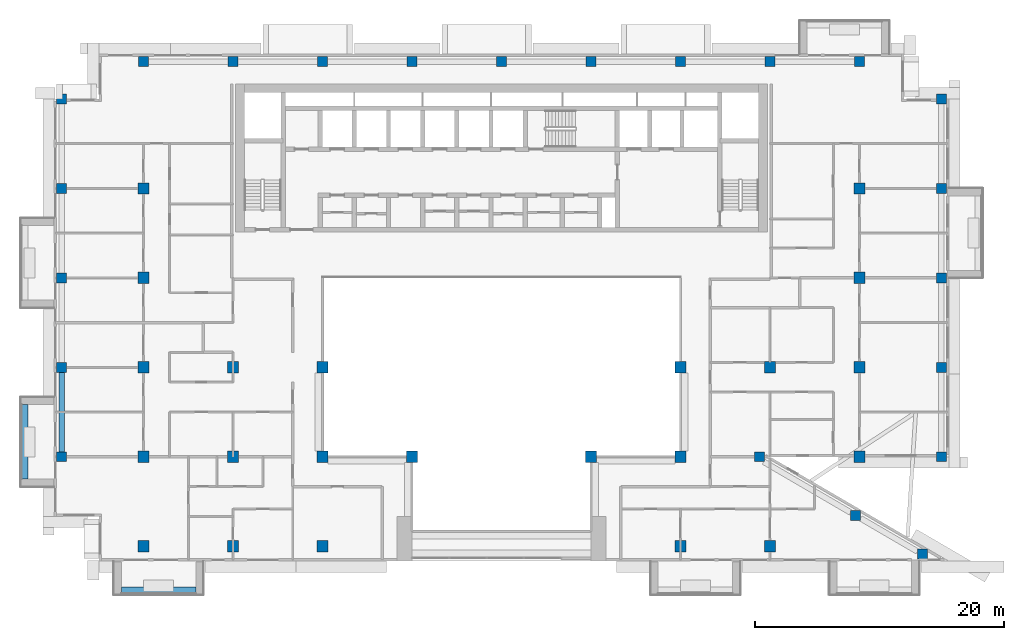
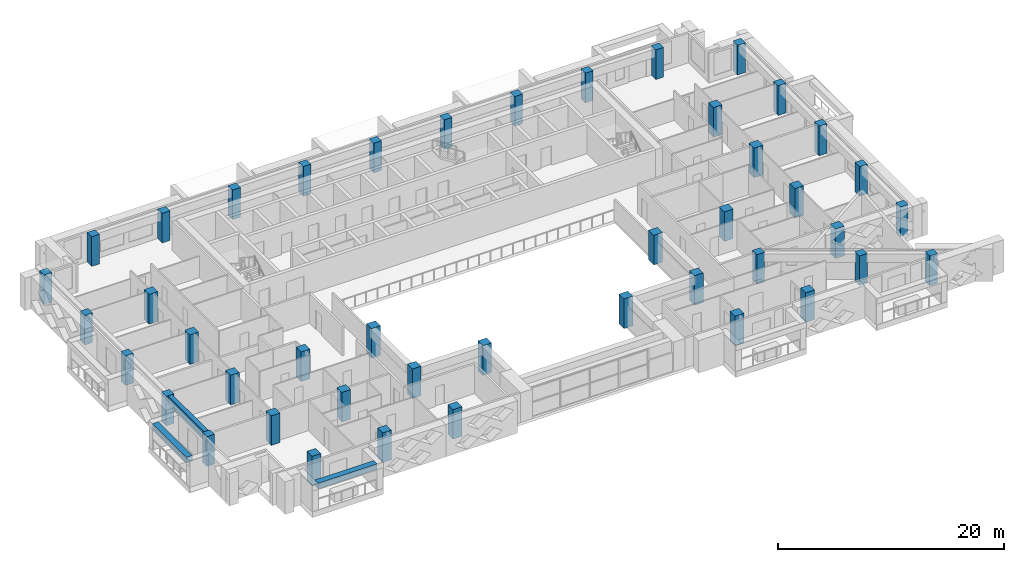
# One storey, part 1 of 20: 44 columns, 3 beams.
"""IFC4 building model written with IfcOpenShell, lengths in metres."""

import ifcopenshell
import ifcopenshell.guid

model = None  # the IFC model being written
_history = None  # IfcOwnerHistory: only IFC2X3 demands one
_inside = {}  # id of a spatial element -> (the spatial element, [elements in it])
_under = {}  # id of a project, library or spatial element -> (it, [spatial elements below it])
_declared = {}  # id of a project -> (the project, [libraries it declares])
_typed = {}  # id of a type object -> (the type object, [elements of that type])
_made_of = {}  # id of a material, layer set ... -> (it, [elements and type objects made of it])


def new_model(schema):
    """Start an empty IFC model of exactly this schema.

    Asked for "IFC4X3", IfcOpenShell would pick the latest addendum, in which some entities
    have other attributes; the version numbers below select the first issue.
    IFC2X3 requires an IfcOwnerHistory on every rooted entity: one is made here for all.
    """
    global model, _history
    if schema == "IFC4X3":
        model = ifcopenshell.file(schema_version=(4, 3, 0, 0))
    else:
        model = ifcopenshell.file(schema=schema)
    _inside.clear()
    _under.clear()
    _declared.clear()
    _typed.clear()
    _made_of.clear()
    _history = None
    if model.schema == "IFC2X3":
        org = make("IfcOrganization", Name="unknown")
        user = make(
            "IfcPersonAndOrganization",
            ThePerson=make("IfcPerson", FamilyName="unknown"),
            TheOrganization=org,
        )
        app = make(
            "IfcApplication",
            ApplicationDeveloper=org,
            Version="unknown",
            ApplicationFullName="unknown",
            ApplicationIdentifier="unknown",
        )
        _history = make(
            "IfcOwnerHistory",
            OwningUser=user,
            OwningApplication=app,
            ChangeAction="ADDED",
            CreationDate=0,
        )
    return model


def make(cls, **values):
    """One entity of the class cls with the attributes given. An attribute that is None is left unset."""
    return model.create_entity(
        cls, **{name: value for name, value in values.items() if value is not None}
    )


def rooted(cls, **values):
    """An entity with a GlobalId (a new one), such as an element, a storey or a relation."""
    return make(cls, GlobalId=ifcopenshell.guid.new(), OwnerHistory=_history, **values)


def si_unit(unit_type, name, prefix=None):
    """IfcSIUnit, for example si_unit("LENGTHUNIT", "METRE", prefix="MILLI")."""
    return make("IfcSIUnit", UnitType=unit_type, Prefix=prefix, Name=name)


def assignment(units):
    """IfcUnitAssignment: the units of a project."""
    return None if units is None else make("IfcUnitAssignment", Units=units)


def point(xyz):
    """IfcCartesianPoint."""
    return None if xyz is None else make("IfcCartesianPoint", Coordinates=xyz)


def direction(xyz):
    """IfcDirection."""
    return None if xyz is None else make("IfcDirection", DirectionRatios=xyz)


def frame(location, z_axis=None, x_axis=None):
    """IfcAxis2Placement3D, a coordinate frame: its origin and axes. An axis left out is left unset."""
    return make(
        "IfcAxis2Placement3D",
        Location=point(location),
        Axis=direction(z_axis),
        RefDirection=direction(x_axis),
    )


def frame_2d(location, x_axis=None):
    """IfcAxis2Placement2D, a coordinate frame in the plane: its origin and x axis."""
    return make(
        "IfcAxis2Placement2D", Location=point(location), RefDirection=direction(x_axis)
    )


def origin():
    """The frame at (0, 0, 0) with its axes left unset."""
    return frame((0.0, 0.0, 0.0))


def origin_2d():
    """The frame at (0, 0) in the plane with its x axis left unset."""
    return frame_2d((0.0, 0.0))


def place(relative_to, where):
    """IfcLocalPlacement: puts the frame where relative to a parent placement (None: the world)."""
    return make(
        "IfcLocalPlacement", PlacementRelTo=relative_to, RelativePlacement=where
    )


def context(
    kind, dimensions, precision=None, world=None, true_north=None, identifier=None
):
    """IfcGeometricRepresentationContext, for example the 3D "Model" context."""
    return make(
        "IfcGeometricRepresentationContext",
        ContextIdentifier=identifier,
        ContextType=kind,
        CoordinateSpaceDimension=dimensions,
        Precision=precision,
        WorldCoordinateSystem=world,
        TrueNorth=true_north,
    )


def subcontext(parent, identifier, kind, view, scale=None):
    """IfcGeometricRepresentationSubContext, for example "Body" below "Model"."""
    return make(
        "IfcGeometricRepresentationSubContext",
        ContextIdentifier=identifier,
        ContextType=kind,
        ParentContext=parent,
        TargetScale=scale,
        TargetView=view,
    )


def project(units=None, contexts=None):
    """IfcProject with its units and contexts."""
    return rooted(
        "IfcProject",
        Name="project",
        RepresentationContexts=contexts,
        UnitsInContext=assignment(units),
    )


def spatial(cls, under=None, at=None, **own):
    """A site, building, storey or space (cls), placed at a placement, below another one or the project."""
    s = rooted(cls, ObjectPlacement=at, **own)
    if under is not None:
        _under.setdefault(under.id(), (under, []))[1].append(s)
    return s


def profile(cls, at=None, kind="AREA", **sizes):
    """A parametric profile (cls). Its sizes go by their IFC names, for example OverallWidth=200.0."""
    return make(cls, ProfileType=kind, Position=at, **sizes)


def rectangle(**sizes):
    """IfcRectangleProfileDef."""
    return profile("IfcRectangleProfileDef", **sizes)


def extrude(swept, where, along, depth):
    """IfcExtrudedAreaSolid: the profile swept, set in the frame where, extruded along a direction by depth."""
    return make(
        "IfcExtrudedAreaSolid",
        SweptArea=swept,
        Position=where,
        ExtrudedDirection=direction(along),
        Depth=depth,
    )


def shape(context_of_items, identifier, shape_type, items):
    """IfcShapeRepresentation: the items that make up one representation, for example the "Body"."""
    return make(
        "IfcShapeRepresentation",
        ContextOfItems=context_of_items,
        RepresentationIdentifier=identifier,
        RepresentationType=shape_type,
        Items=items,
    )


def source(mapping_origin, context_of_items, identifier, shape_type, items):
    """IfcRepresentationMap: a shape defined once, which mapped items show again and again."""
    return make(
        "IfcRepresentationMap",
        MappingOrigin=mapping_origin,
        MappedRepresentation=shape(context_of_items, identifier, shape_type, items),
    )


def transform(
    local_origin,
    x_axis=None,
    y_axis=None,
    z_axis=None,
    scale=None,
    scale2=None,
    scale3=None,
    uniform=True,
):
    """IfcCartesianTransformationOperator3D, or its non-uniform kind. x_axis, y_axis, z_axis: its Axis1, 2, 3."""
    if uniform:
        return make(
            "IfcCartesianTransformationOperator3D",
            Axis1=direction(x_axis),
            Axis2=direction(y_axis),
            LocalOrigin=point(local_origin),
            Scale=scale,
            Axis3=direction(z_axis),
        )
    return make(
        "IfcCartesianTransformationOperator3DnonUniform",
        Axis1=direction(x_axis),
        Axis2=direction(y_axis),
        LocalOrigin=point(local_origin),
        Scale=scale,
        Axis3=direction(z_axis),
        Scale2=scale2,
        Scale3=scale3,
    )


def mapped(mapping_source, mapping_target):
    """IfcMappedItem: shows the shape of a source again, moved by a transform."""
    return make(
        "IfcMappedItem", MappingSource=mapping_source, MappingTarget=mapping_target
    )


def material(Name=None, Category=None):
    """IfcMaterial."""
    return make("IfcMaterial", Name=Name, Category=Category)


def material_profile(
    of_material, cross_section, Name=None, Category=None, Priority=None
):
    """IfcMaterialProfile: a cross section and its material."""
    return make(
        "IfcMaterialProfile",
        Name=Name,
        Material=of_material,
        Profile=cross_section,
        Priority=Priority,
        Category=Category,
    )


def profile_set(profiles, Name=None, composite=None):
    """IfcMaterialProfileSet."""
    return make(
        "IfcMaterialProfileSet",
        Name=Name,
        MaterialProfiles=profiles,
        CompositeProfile=composite,
    )


def made_of(thing, what):
    """Note that an element or type object is made of a material, layer set ...; save() writes the relation."""
    if what is not None:
        _made_of.setdefault(what.id(), (what, []))[1].append(thing)
    return thing


def type_object(cls, material=None, **own):
    """A type object (cls), such as IfcWallType, which elements share."""
    return made_of(rooted(cls, **own), material)


def element(
    cls,
    number,
    at=None,
    inside=None,
    cuts=None,
    type_object=None,
    material=None,
    context=None,
    identifier="Body",
    shape_type=None,
    held_by="IfcProductDefinitionShape",
    body=None,
    shapes=None,
    **own,
):
    """One element of the class cls, such as IfcWall. Its Tag is "e" and its number.

    at: its placement. inside: the storey or other place that contains it. cuts: it is an
    opening in that element (IfcRelVoidsElement). A single representation is given by context,
    identifier, shape_type and body (its items); several are given by shapes. held_by: the class
    of the entity that holds the representations. save() writes the other relations.
    """
    e = rooted(cls, Tag="e%d" % number, ObjectPlacement=at, **own)
    if body is not None:
        shapes = [shape(context, identifier, shape_type, body)]
    if shapes is not None:
        e.Representation = make(held_by, Representations=shapes)
    if inside is not None:
        _inside.setdefault(inside.id(), (inside, []))[1].append(e)
    if cuts is not None:
        rooted(
            "IfcRelVoidsElement", RelatingBuildingElement=cuts, RelatedOpeningElement=e
        )
    if type_object is not None:
        _typed.setdefault(type_object.id(), (type_object, []))[1].append(e)
    return made_of(e, material)


def aggregate(whole, parts):
    """IfcRelAggregates: a whole, such as a stair, and the parts it consists of."""
    return rooted("IfcRelAggregates", RelatingObject=whole, RelatedObjects=parts)


def save(model, path):
    """Write the relations noted so far, then the file.

    IfcRelAggregates (storeys below a building ...), IfcRelContainedInSpatialStructure (elements
    in a storey), IfcRelDefinesByType, IfcRelAssociatesMaterial and IfcRelDeclares: one each for
    every whole, place, type object, material and project.
    """
    for whole, parts in _under.values():
        aggregate(whole, parts)
    for where, things in _inside.values():
        rooted(
            "IfcRelContainedInSpatialStructure",
            RelatedElements=things,
            RelatingStructure=where,
        )
    for kind, things in _typed.values():
        rooted("IfcRelDefinesByType", RelatedObjects=things, RelatingType=kind)
    for what, things in _made_of.values():
        rooted("IfcRelAssociatesMaterial", RelatedObjects=things, RelatingMaterial=what)
    for by, libraries in _declared.values():
        rooted("IfcRelDeclares", RelatingContext=by, RelatedDefinitions=libraries)
    model.write(path)


model = new_model("IFC4")

# Units and contexts
model_context = context("Model", 3, precision=1e-05, world=origin(), true_north=direction((0.0, 1.0)))
body_context = subcontext(model_context, "Body", "Model", "MODEL_VIEW")
ifc_project = project(units=[si_unit("LENGTHUNIT", "METRE"), si_unit("AREAUNIT", "SQUARE_METRE"), si_unit("VOLUMEUNIT", "CUBIC_METRE"), si_unit("PLANEANGLEUNIT", "RADIAN"), si_unit("MASSUNIT", "GRAM", prefix="KILO")], contexts=[model_context])

# Site, building, storey
site_placement = place(None, origin())
site = spatial("IfcSite", under=ifc_project, at=site_placement, CompositionType="ELEMENT")
building_placement = place(site_placement, origin())
building = spatial("IfcBuilding", under=site, at=building_placement, Name="Saffron Iwan Residences", CompositionType="ELEMENT")
storey_placement = place(building_placement, frame((0.0, 0.0, 192.0)))
storey = spatial("IfcBuildingStorey", under=building, at=storey_placement, Name="L51", CompositionType="ELEMENT", Elevation=192.0)

# Columns
ifc_material_1 = material(Name="Concrete C50/60", Category="concrete")
ifc_material_profile_1 = material_profile(ifc_material_1, rectangle(XDim=0.89990234375, YDim=0.89990234375, at=origin_2d()), Name="RC 900x900")
ifc_profile_set_1 = profile_set([ifc_material_profile_1], Name="Concrete C50/60")
column_type_1 = type_object("IfcColumnType", Name="COL RC 900x900 C50/60 3200 HIGH", PredefinedType="COLUMN", material=ifc_profile_set_1)
shared_shape_1 = source(origin(), body_context, "Body", "SweptSolid", [
    extrude(rectangle(XDim=0.89990234375, YDim=0.89990234375, at=origin_2d()), origin(), (0.0, 0.0, 1.0), 3.199951171875),
])
for number, where, z_axis, x_axis, name in (
    (1, (21.60009765625, 40.800048828125, 0.0), (0.0, 0.0, 1.0), (1.0, 0.0, 0.0), "Column C049"),
    (2, (28.800048828125, 40.800048828125, 0.0), (0.0, 0.0, 1.0), (1.0, 0.0, 0.0), "Column C051"),
    (3, (36.0, 40.800048828125, 0.0), (0.0, 0.0, 1.0), (1.0, 0.0, 0.0), "Column C052"),
    (4, (64.800048828125, 40.800048828125, 0.0), (0.0, 0.0, 1.0), (1.0, 0.0, 0.0), "Column C055"),
    (5, (72.0, 40.800048828125, 0.0), (0.0, 0.0, 1.0), (1.0, 0.0, 0.0), "Column C056"),
    (6, (21.60009765625, 48.0, 0.0), (0.0, 0.0, 1.0), (1.0, 0.0, 0.0), "Column C063"),
    (7, (28.800048828125, 48.0, 0.0), (0.0, 0.0, 1.0), (1.0, 0.0, 0.0), "Column C064"),
    (8, (36.0, 48.0, 0.0), (0.0, 0.0, 1.0), (1.0, 0.0, 0.0), "Column C065"),
    (9, (43.199951171875, 48.0, 0.0), (0.0, 0.0, 1.0), (1.0, 0.0, 0.0), "Column C066"),
    (10, (57.60009765625, 48.0, 0.0), (0.0, 0.0, 1.0), (1.0, 0.0, 0.0), "Column C068"),
    (11, (64.800048828125, 48.0, 0.0), (0.0, 0.0, 1.0), (1.0, 0.0, 0.0), "Column C069"),
    (12, (79.199951171875, 48.0, 0.0), (0.0, 0.0, 1.0), (1.0, 0.0, 0.0), "Column C072"),
    (13, (21.60009765625, 55.199951171875, 0.0), (0.0, 0.0, 1.0), (1.0, 0.0, 0.0), "Column C079"),
    (14, (28.800048828125, 55.199951171875, 0.0), (0.0, 0.0, 1.0), (1.0, 0.0, 0.0), "Column C080"),
    (15, (36.0, 55.199951171875, 0.0), (0.0, 0.0, 1.0), (1.0, 0.0, 0.0), "Column C081"),
    (16, (64.800048828125, 55.199951171875, 0.0), (0.0, 0.0, 1.0), (1.0, 0.0, 0.0), "Column C082"),
    (17, (72.0, 55.199951171875, 0.0), (0.0, 0.0, 1.0), (1.0, 0.0, 0.0), "Column C083"),
    (18, (79.199951171875, 55.199951171875, 0.0), (0.0, 0.0, 1.0), (1.0, 0.0, 0.0), "Column C084"),
    (19, (21.60009765625, 62.39990234375, 0.0), (0.0, 0.0, 1.0), (1.0, 0.0, 0.0), "Column C091"),
    (20, (79.199951171875, 62.39990234375, 0.0), (0.0, 0.0, 1.0), (1.0, 0.0, 0.0), "Column C092"),
    (21, (21.60009765625, 69.60009765625, 0.0), (0.0, 0.0, 1.0), (1.0, 0.0, 0.0), "Column C099"),
    (22, (79.199951171875, 69.60009765625, 0.0), (0.0, 0.0, 1.0), (1.0, 0.0, 0.0), "Column C100"),
):
    element("IfcColumn", number, at=place(storey_placement, frame(where, z_axis=z_axis, x_axis=x_axis)), inside=storey, type_object=column_type_1, Name=name, PredefinedType="COLUMN", context=body_context, shape_type="MappedRepresentation", body=[
        mapped(shared_shape_1, transform((0.0, 0.0, 0.0))),
    ])
ifc_material_profile_2 = material_profile(ifc_material_1, rectangle(XDim=0.800048828125, YDim=0.800048828125, at=origin_2d()), Name="RC 800x800")
ifc_profile_set_2 = profile_set([ifc_material_profile_2], Name="Concrete C50/60")
column_type_2 = type_object("IfcColumnType", Name="COL RC 800x800 C50/60 3200 HIGH", PredefinedType="COLUMN", material=ifc_profile_set_2)
shared_shape_2 = source(origin(), body_context, "Body", "SweptSolid", [
    extrude(rectangle(XDim=0.800048828125, YDim=0.800048828125, at=origin_2d()), origin(), (0.0, 0.0, 1.0), 3.199951171875),
])
for number, where, z_axis, x_axis, name in (
    (23, (84.276123046875, 40.17431640625, 0.0), (0.0, 0.0, 1.0), (1.0, 0.0, 0.0), "Column C045"),
    (24, (78.897705078125, 43.28173828125, 0.0), (0.0, 0.0, 1.0), (1.0, 0.0, 0.0), "Column C058"),
    (25, (15.0, 48.0, 0.0), (0.0, 0.0, 1.0), (1.0, 0.0, 0.0), "Column C061"),
    (26, (71.14990234375, 48.0, 0.0), (0.0, 0.0, 1.0), (1.0, 0.0, 0.0), "Column C070"),
    (27, (85.800048828125, 48.0, 0.0), (0.0, 0.0, 1.0), (1.0, 0.0, 0.0), "Column C074"),
    (28, (15.0, 55.199951171875, 0.0), (0.0, 0.0, 1.0), (1.0, 0.0, 0.0), "Column C077"),
    (29, (85.800048828125, 55.199951171875, 0.0), (0.0, 0.0, 1.0), (1.0, 0.0, 0.0), "Column C086"),
    (30, (15.0, 62.39990234375, 0.0), (0.0, 0.0, 1.0), (1.0, 0.0, 0.0), "Column C089"),
    (31, (85.800048828125, 62.39990234375, 0.0), (0.0, 0.0, 1.0), (1.0, 0.0, 0.0), "Column C094"),
    (32, (15.0, 69.60009765625, 0.0), (0.0, 0.0, 1.0), (1.0, 0.0, 0.0), "Column C097"),
    (33, (85.800048828125, 69.60009765625, 0.0), (0.0, 0.0, 1.0), (1.0, 0.0, 0.0), "Column C102"),
    (34, (15.0, 76.800048828125, 0.0), (0.0, 0.0, 1.0), (1.0, 0.0, 0.0), "Column C105"),
    (35, (85.800048828125, 76.800048828125, 0.0), (0.0, 0.0, 1.0), (1.0, 0.0, 0.0), "Column C110"),
    (36, (21.60009765625, 79.800048828125, 0.0), (0.0, 0.0, 1.0), (1.0, 0.0, 0.0), "Column C113"),
    (37, (28.800048828125, 79.800048828125, 0.0), (0.0, 0.0, 1.0), (1.0, 0.0, 0.0), "Column C115"),
    (38, (36.0, 79.800048828125, 0.0), (0.0, 0.0, 1.0), (1.0, 0.0, 0.0), "Column C116"),
    (39, (43.199951171875, 79.800048828125, 0.0), (0.0, 0.0, 1.0), (1.0, 0.0, 0.0), "Column C117"),
    (40, (50.39990234375, 79.800048828125, 0.0), (0.0, 0.0, 1.0), (1.0, 0.0, 0.0), "Column C118"),
    (41, (57.60009765625, 79.800048828125, 0.0), (0.0, 0.0, 1.0), (1.0, 0.0, 0.0), "Column C119"),
    (42, (64.800048828125, 79.800048828125, 0.0), (0.0, 0.0, 1.0), (1.0, 0.0, 0.0), "Column C120"),
    (43, (72.0, 79.800048828125, 0.0), (0.0, 0.0, 1.0), (1.0, 0.0, 0.0), "Column C121"),
    (44, (79.199951171875, 79.800048828125, 0.0), (0.0, 0.0, 1.0), (1.0, 0.0, 0.0), "Column C123"),
):
    element("IfcColumn", number, at=place(storey_placement, frame(where, z_axis=z_axis, x_axis=x_axis)), inside=storey, type_object=column_type_2, Name=name, PredefinedType="COLUMN", context=body_context, shape_type="MappedRepresentation", body=[
        mapped(shared_shape_2, transform((0.0, 0.0, 0.0))),
    ])

# Beams
ifc_material_profile_3 = material_profile(ifc_material_1, rectangle(XDim=0.449951171875, YDim=0.89990234375, at=origin_2d()), Name="RC 450x900")
ifc_profile_set_3 = profile_set([ifc_material_profile_3], Name="Concrete C50/60")
beam_type_1 = type_object("IfcBeamType", Name="SPANDREL BEAM RC 450x900 C50/60 TOP 3200", PredefinedType="SPANDREL", material=ifc_profile_set_3)
shared_shape_3 = source(origin(), body_context, "Body", "SweptSolid", [
    extrude(rectangle(XDim=0.449951171875, YDim=0.89990234375, at=origin_2d()), origin(), (0.0, 0.0, 1.0), 6.400146484375),
])
beam_placement = place(storey_placement, frame((15.0, 48.39990234375, 2.75), z_axis=(0.0, 1.0, 0.0), x_axis=(-1.0, 0.0, 0.0)))
element("IfcBeam", 45, at=beam_placement, inside=storey, type_object=beam_type_1, Name="Spandrel beam", PredefinedType="SPANDREL", context=body_context, shape_type="MappedRepresentation", body=[
    mapped(shared_shape_3, transform((0.0, 0.0, 0.0))),
])
ifc_material_2 = material(Name="Concrete C50/60 white painted", Category="concrete")
ifc_material_profile_4 = material_profile(ifc_material_2, rectangle(XDim=0.60009765625, YDim=0.60009765625, at=origin_2d()), Name="BALCONY FASCIA BEAM 600 x 600")
ifc_profile_set_4 = profile_set([ifc_material_profile_4], Name="Concrete C50/60 white painted")
beam_type_2 = type_object("IfcBeamType", Name="BALCONY FASCIA BEAM 600 x 600", PredefinedType="BEAM", material=ifc_profile_set_4)
shared_shape_4 = source(origin(), body_context, "Body", "SweptSolid", [
    extrude(rectangle(XDim=0.60009765625, YDim=0.60009765625, at=origin_2d()), origin(), (0.0, 0.0, 1.0), 6.0),
])
for number, where, z_axis, x_axis, name in (
    (46, (12.0, 52.199951171875, 2.550048828125), (0.0, -1.0, 0.0), (1.0, 0.0, 0.0), "Balcony fascia beam L51 F8-1"),
    (47, (19.800048828125, 37.199951171875, 2.550048828125), (1.0, 0.0, 0.0), (0.0, 1.0, 0.0), "Balcony fascia beam L51 11-0"),
):
    element("IfcBeam", number, at=place(storey_placement, frame(where, z_axis=z_axis, x_axis=x_axis)), inside=storey, type_object=beam_type_2, Name=name, PredefinedType="BEAM", context=body_context, shape_type="MappedRepresentation", body=[
        mapped(shared_shape_4, transform((0.0, 0.0, 0.0))),
    ])

save(model, "model.ifc")
